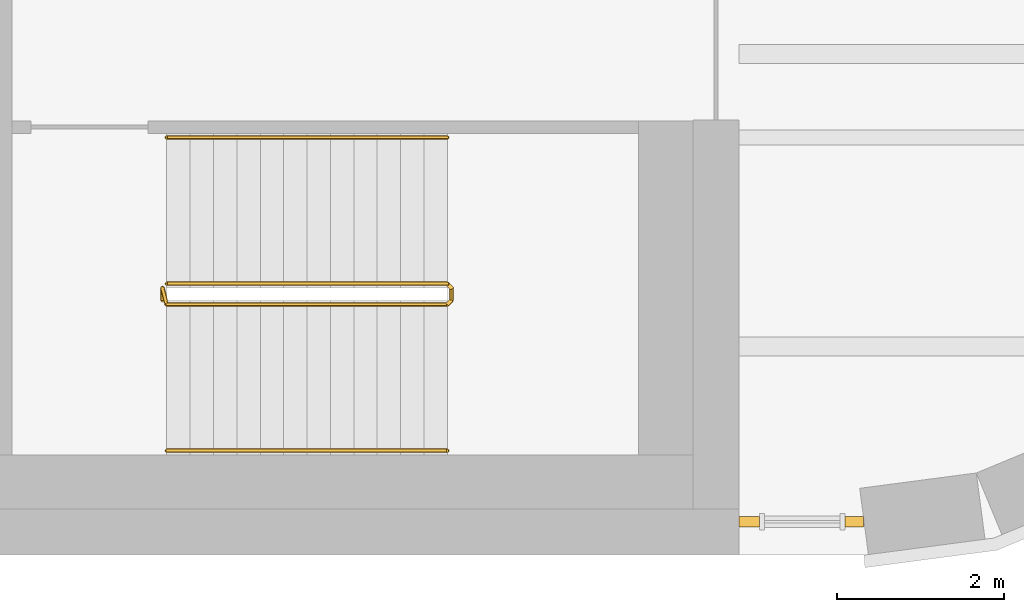
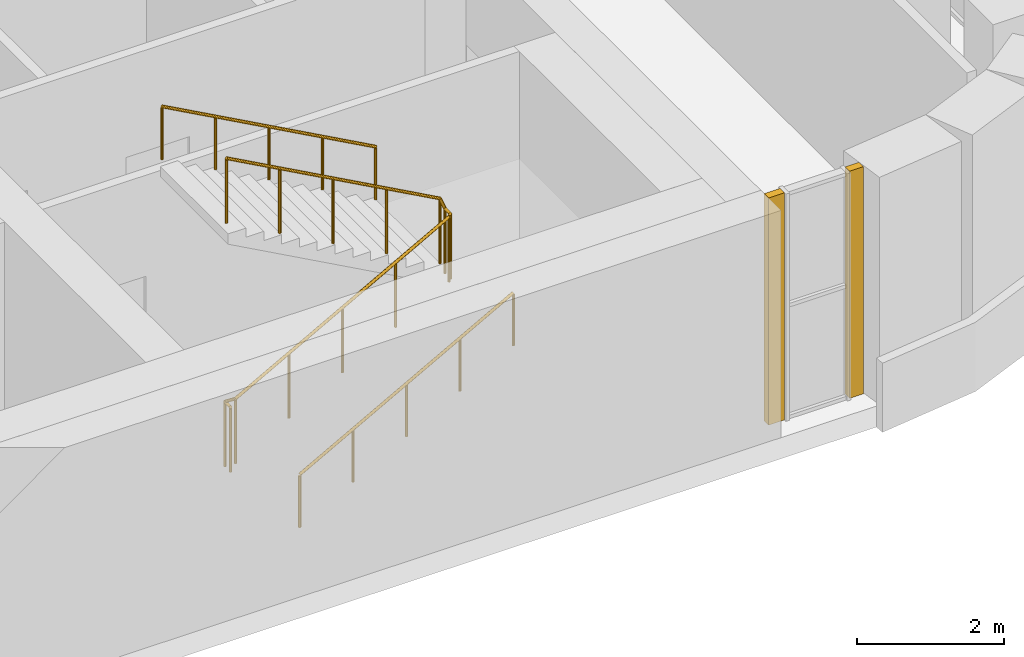
# One storey, part 25 of 28: 3 railings, 2 coverings.
"""IFC4 building model written with IfcOpenShell, lengths in metres."""

import ifcopenshell
import ifcopenshell.guid

model = None  # the IFC model being written
_history = None  # IfcOwnerHistory: only IFC2X3 demands one
_inside = {}  # id of a spatial element -> (the spatial element, [elements in it])
_under = {}  # id of a project, library or spatial element -> (it, [spatial elements below it])
_declared = {}  # id of a project -> (the project, [libraries it declares])
_typed = {}  # id of a type object -> (the type object, [elements of that type])
_made_of = {}  # id of a material, layer set ... -> (it, [elements and type objects made of it])


def new_model(schema):
    """Start an empty IFC model of exactly this schema.

    Asked for "IFC4X3", IfcOpenShell would pick the latest addendum, in which some entities
    have other attributes; the version numbers below select the first issue.
    IFC2X3 requires an IfcOwnerHistory on every rooted entity: one is made here for all.
    """
    global model, _history
    if schema == "IFC4X3":
        model = ifcopenshell.file(schema_version=(4, 3, 0, 0))
    else:
        model = ifcopenshell.file(schema=schema)
    _inside.clear()
    _under.clear()
    _declared.clear()
    _typed.clear()
    _made_of.clear()
    _history = None
    if model.schema == "IFC2X3":
        org = make("IfcOrganization", Name="unknown")
        user = make(
            "IfcPersonAndOrganization",
            ThePerson=make("IfcPerson", FamilyName="unknown"),
            TheOrganization=org,
        )
        app = make(
            "IfcApplication",
            ApplicationDeveloper=org,
            Version="unknown",
            ApplicationFullName="unknown",
            ApplicationIdentifier="unknown",
        )
        _history = make(
            "IfcOwnerHistory",
            OwningUser=user,
            OwningApplication=app,
            ChangeAction="ADDED",
            CreationDate=0,
        )
    return model


def make(cls, **values):
    """One entity of the class cls with the attributes given. An attribute that is None is left unset."""
    return model.create_entity(
        cls, **{name: value for name, value in values.items() if value is not None}
    )


def rooted(cls, **values):
    """An entity with a GlobalId (a new one), such as an element, a storey or a relation."""
    return make(cls, GlobalId=ifcopenshell.guid.new(), OwnerHistory=_history, **values)


def si_unit(unit_type, name, prefix=None):
    """IfcSIUnit, for example si_unit("LENGTHUNIT", "METRE", prefix="MILLI")."""
    return make("IfcSIUnit", UnitType=unit_type, Prefix=prefix, Name=name)


def assignment(units):
    """IfcUnitAssignment: the units of a project."""
    return None if units is None else make("IfcUnitAssignment", Units=units)


def point(xyz):
    """IfcCartesianPoint."""
    return None if xyz is None else make("IfcCartesianPoint", Coordinates=xyz)


def direction(xyz):
    """IfcDirection."""
    return None if xyz is None else make("IfcDirection", DirectionRatios=xyz)


def frame(location, z_axis=None, x_axis=None):
    """IfcAxis2Placement3D, a coordinate frame: its origin and axes. An axis left out is left unset."""
    return make(
        "IfcAxis2Placement3D",
        Location=point(location),
        Axis=direction(z_axis),
        RefDirection=direction(x_axis),
    )


def frame_2d(location, x_axis=None):
    """IfcAxis2Placement2D, a coordinate frame in the plane: its origin and x axis."""
    return make(
        "IfcAxis2Placement2D", Location=point(location), RefDirection=direction(x_axis)
    )


def origin():
    """The frame at (0, 0, 0) with its axes left unset."""
    return frame((0.0, 0.0, 0.0))


def origin_2d():
    """The frame at (0, 0) in the plane with its x axis left unset."""
    return frame_2d((0.0, 0.0))


def place(relative_to, where):
    """IfcLocalPlacement: puts the frame where relative to a parent placement (None: the world)."""
    return make(
        "IfcLocalPlacement", PlacementRelTo=relative_to, RelativePlacement=where
    )


def context(
    kind, dimensions, precision=None, world=None, true_north=None, identifier=None
):
    """IfcGeometricRepresentationContext, for example the 3D "Model" context."""
    return make(
        "IfcGeometricRepresentationContext",
        ContextIdentifier=identifier,
        ContextType=kind,
        CoordinateSpaceDimension=dimensions,
        Precision=precision,
        WorldCoordinateSystem=world,
        TrueNorth=true_north,
    )


def subcontext(parent, identifier, kind, view, scale=None):
    """IfcGeometricRepresentationSubContext, for example "Body" below "Model"."""
    return make(
        "IfcGeometricRepresentationSubContext",
        ContextIdentifier=identifier,
        ContextType=kind,
        ParentContext=parent,
        TargetScale=scale,
        TargetView=view,
    )


def project(units=None, contexts=None):
    """IfcProject with its units and contexts."""
    return rooted(
        "IfcProject",
        Name="project",
        RepresentationContexts=contexts,
        UnitsInContext=assignment(units),
    )


def spatial(cls, under=None, at=None, **own):
    """A site, building, storey or space (cls), placed at a placement, below another one or the project."""
    s = rooted(cls, ObjectPlacement=at, **own)
    if under is not None:
        _under.setdefault(under.id(), (under, []))[1].append(s)
    return s


def profile(cls, at=None, kind="AREA", **sizes):
    """A parametric profile (cls). Its sizes go by their IFC names, for example OverallWidth=200.0."""
    return make(cls, ProfileType=kind, Position=at, **sizes)


def rectangle(**sizes):
    """IfcRectangleProfileDef."""
    return profile("IfcRectangleProfileDef", **sizes)


def circle(**sizes):
    """IfcCircleProfileDef."""
    return profile("IfcCircleProfileDef", **sizes)


def extrude(swept, where, along, depth):
    """IfcExtrudedAreaSolid: the profile swept, set in the frame where, extruded along a direction by depth."""
    return make(
        "IfcExtrudedAreaSolid",
        SweptArea=swept,
        Position=where,
        ExtrudedDirection=direction(along),
        Depth=depth,
    )


def shape(context_of_items, identifier, shape_type, items):
    """IfcShapeRepresentation: the items that make up one representation, for example the "Body"."""
    return make(
        "IfcShapeRepresentation",
        ContextOfItems=context_of_items,
        RepresentationIdentifier=identifier,
        RepresentationType=shape_type,
        Items=items,
    )


def material(Name=None, Category=None):
    """IfcMaterial."""
    return make("IfcMaterial", Name=Name, Category=Category)


def layer(
    of_material, thickness, ventilated=None, Name=None, Category=None, Priority=None
):
    """IfcMaterialLayer: one layer of a wall or slab, of a material (None: an air gap)."""
    return make(
        "IfcMaterialLayer",
        Material=of_material,
        LayerThickness=thickness,
        IsVentilated=ventilated,
        Name=Name,
        Category=Category,
        Priority=Priority,
    )


def layer_set(layers, Name=None):
    """IfcMaterialLayerSet."""
    return make("IfcMaterialLayerSet", MaterialLayers=layers, LayerSetName=Name)


def made_of(thing, what):
    """Note that an element or type object is made of a material, layer set ...; save() writes the relation."""
    if what is not None:
        _made_of.setdefault(what.id(), (what, []))[1].append(thing)
    return thing


def type_object(cls, material=None, **own):
    """A type object (cls), such as IfcWallType, which elements share."""
    return made_of(rooted(cls, **own), material)


def element(
    cls,
    number,
    at=None,
    inside=None,
    cuts=None,
    type_object=None,
    material=None,
    context=None,
    identifier="Body",
    shape_type=None,
    held_by="IfcProductDefinitionShape",
    body=None,
    shapes=None,
    **own,
):
    """One element of the class cls, such as IfcWall. Its Tag is "e" and its number.

    at: its placement. inside: the storey or other place that contains it. cuts: it is an
    opening in that element (IfcRelVoidsElement). A single representation is given by context,
    identifier, shape_type and body (its items); several are given by shapes. held_by: the class
    of the entity that holds the representations. save() writes the other relations.
    """
    e = rooted(cls, Tag="e%d" % number, ObjectPlacement=at, **own)
    if body is not None:
        shapes = [shape(context, identifier, shape_type, body)]
    if shapes is not None:
        e.Representation = make(held_by, Representations=shapes)
    if inside is not None:
        _inside.setdefault(inside.id(), (inside, []))[1].append(e)
    if cuts is not None:
        rooted(
            "IfcRelVoidsElement", RelatingBuildingElement=cuts, RelatedOpeningElement=e
        )
    if type_object is not None:
        _typed.setdefault(type_object.id(), (type_object, []))[1].append(e)
    return made_of(e, material)


def aggregate(whole, parts):
    """IfcRelAggregates: a whole, such as a stair, and the parts it consists of."""
    return rooted("IfcRelAggregates", RelatingObject=whole, RelatedObjects=parts)


def save(model, path):
    """Write the relations noted so far, then the file.

    IfcRelAggregates (storeys below a building ...), IfcRelContainedInSpatialStructure (elements
    in a storey), IfcRelDefinesByType, IfcRelAssociatesMaterial and IfcRelDeclares: one each for
    every whole, place, type object, material and project.
    """
    for whole, parts in _under.values():
        aggregate(whole, parts)
    for where, things in _inside.values():
        rooted(
            "IfcRelContainedInSpatialStructure",
            RelatedElements=things,
            RelatingStructure=where,
        )
    for kind, things in _typed.values():
        rooted("IfcRelDefinesByType", RelatedObjects=things, RelatingType=kind)
    for what, things in _made_of.values():
        rooted("IfcRelAssociatesMaterial", RelatedObjects=things, RelatingMaterial=what)
    for by, libraries in _declared.values():
        rooted("IfcRelDeclares", RelatingContext=by, RelatedDefinitions=libraries)
    model.write(path)


model = new_model("IFC4")

# Units and contexts
model_context = context("Model", 3, precision=1e-05, world=origin(), true_north=direction((0.0, 1.0)))
body_context = subcontext(model_context, "Body", "Model", "MODEL_VIEW")
ifc_project = project(units=[si_unit("LENGTHUNIT", "METRE"), si_unit("AREAUNIT", "SQUARE_METRE"), si_unit("VOLUMEUNIT", "CUBIC_METRE"), si_unit("PLANEANGLEUNIT", "RADIAN"), si_unit("MASSUNIT", "GRAM", prefix="KILO")], contexts=[model_context])

# Site, building, storey
site_placement = place(None, origin())
site = spatial("IfcSite", under=ifc_project, at=site_placement, CompositionType="ELEMENT")
building_placement = place(site_placement, origin())
building = spatial("IfcBuilding", under=site, at=building_placement, Name="Zellij Exchange Tower", CompositionType="ELEMENT")
storey_placement = place(building_placement, frame((0.0, 0.0, 268.5)))
storey = spatial("IfcBuildingStorey", under=building, at=storey_placement, Name="L63", CompositionType="ELEMENT", Elevation=268.5)

# Railings
ifc_material_1 = material(Name="Stainless steel", Category="steel")
railing_type_1 = type_object("IfcRailingType", Name="CORE-RG stair guard", PredefinedType="GUARDRAIL", material=ifc_material_1)
railing_1_placement = place(storey_placement, frame((20.10009765625, -10.949951171875, 0.0)))
element("IfcRailing", 1, at=railing_1_placement, inside=storey, type_object=railing_type_1, Name="ST4 stair guard L63", PredefinedType="GUARDRAIL", context=body_context, shape_type="SweptSolid", body=[
    extrude(circle(Radius=0.02392578125, at=origin_2d()), frame((0.0, 0.0, 1.076171875), z_axis=(0.0, 1.0, 0.0), x_axis=(-1.0, 0.0, 0.0)), (0.0, 0.0, 1.0), 0.14990234375),
    extrude(circle(Radius=0.02392578125, at=origin_2d()), frame((0.0, 0.14990234375, 1.076171875), z_axis=(0.193691321961, -0.777613689637, 0.598164376644), x_axis=(0.970351222016, 0.241699205484, 0.0)), (0.0, 0.0, 1.0), 0.257080078125),
    extrude(circle(Radius=0.02392578125, at=origin_2d()), frame((0.0498046875, -0.050048828125, 1.22998046875), z_axis=(0.876421534553, 0.0, 0.481544695509), x_axis=(0.0, 1.0, 0.0)), (0.0, 0.0, 1.0), 3.833984375),
    extrude(circle(Radius=0.02392578125, at=origin_2d()), frame((3.409912109375, -0.050048828125, 3.076171875), z_axis=(0.707106781187, 0.707106781187, 0.0), x_axis=(-0.707106781187, 0.707106781187, 0.0)), (0.0, 0.0, 1.0), 0.07080078125),
    extrude(circle(Radius=0.02392578125, at=origin_2d()), frame((3.4599609375, 0.0, 3.076171875), z_axis=(0.0, 1.0, 0.0), x_axis=(-1.0, 0.0, 0.0)), (0.0, 0.0, 1.0), 0.14990234375),
    extrude(circle(Radius=0.02392578125, at=origin_2d()), frame((3.4599609375, 0.14990234375, 3.076171875), z_axis=(-0.295599637079, 0.295599637079, 0.908428152975), x_axis=(-0.707106781187, -0.707106781187, 0.0)), (0.0, 0.0, 1.0), 0.16943359375),
    extrude(circle(Radius=0.02392578125, at=origin_2d()), frame((3.409912109375, 0.199951171875, 3.22998046875), z_axis=(-0.876421534553, 0.0, 0.481544695509), x_axis=(0.0, -1.0, 0.0)), (0.0, 0.0, 1.0), 3.833984375),
    extrude(circle(Radius=0.02099609375, at=origin_2d()), origin(), (0.0, 0.0, 1.0), 1.052001953125),
    extrude(circle(Radius=0.02099609375, at=origin_2d()), frame((0.0, 0.14990234375, 0.0)), (0.0, 0.0, 1.0), 1.052001953125),
    extrude(circle(Radius=0.02099609375, at=origin_2d()), frame((0.0498046875, -0.050048828125, 0.15380859375)), (0.0, 0.0, 1.0), 1.052001953125),
    extrude(circle(Radius=0.02099609375, at=origin_2d()), frame((0.889892578125, -0.050048828125, 0.615234375)), (0.0, 0.0, 1.0), 1.052001953125),
    extrude(circle(Radius=0.02099609375, at=origin_2d()), frame((1.72998046875, -0.050048828125, 1.076904296875)), (0.0, 0.0, 1.0), 1.052001953125),
    extrude(circle(Radius=0.02099609375, at=origin_2d()), frame((2.56982421875, -0.050048828125, 1.53857421875)), (0.0, 0.0, 1.0), 1.052001953125),
    extrude(circle(Radius=0.02099609375, at=origin_2d()), frame((3.409912109375, -0.050048828125, 2.0)), (0.0, 0.0, 1.0), 1.052001953125),
    extrude(circle(Radius=0.02099609375, at=origin_2d()), frame((3.4599609375, 0.0, 2.0)), (0.0, 0.0, 1.0), 1.052001953125),
    extrude(circle(Radius=0.02099609375, at=origin_2d()), frame((3.4599609375, 0.14990234375, 2.0)), (0.0, 0.0, 1.0), 1.052001953125),
    extrude(circle(Radius=0.02099609375, at=origin_2d()), frame((3.409912109375, 0.199951171875, 2.15380859375)), (0.0, 0.0, 1.0), 1.052001953125),
    extrude(circle(Radius=0.02099609375, at=origin_2d()), frame((2.56982421875, 0.199951171875, 2.615234375)), (0.0, 0.0, 1.0), 1.052001953125),
    extrude(circle(Radius=0.02099609375, at=origin_2d()), frame((1.72998046875, 0.199951171875, 3.076904296875)), (0.0, 0.0, 1.0), 1.052001953125),
    extrude(circle(Radius=0.02099609375, at=origin_2d()), frame((0.889892578125, 0.199951171875, 3.53857421875)), (0.0, 0.0, 1.0), 1.052001953125),
    extrude(circle(Radius=0.02099609375, at=origin_2d()), frame((0.0498046875, 0.199951171875, 4.0)), (0.0, 0.0, 1.0), 1.052001953125),
])
railing_type_2 = type_object("IfcRailingType", Name="CORE-RH stair handrail", PredefinedType="HANDRAIL", material=ifc_material_1)
railing_2_placement = place(storey_placement, frame((20.14990234375, -12.75, 0.15380859375)))
element("IfcRailing", 2, at=railing_2_placement, inside=storey, type_object=railing_type_2, Name="ST4 stair handrail L63", PredefinedType="HANDRAIL", context=body_context, shape_type="SweptSolid", body=[
    extrude(circle(Radius=0.02392578125, at=origin_2d()), frame((0.0, 0.0, 0.8759765625), z_axis=(0.876421534553, 0.0, 0.481544695509), x_axis=(0.0, 1.0, 0.0)), (0.0, 0.0, 1.0), 3.833984375),
    extrude(circle(Radius=0.02099609375, at=origin_2d()), origin(), (0.0, 0.0, 1.0), 0.851806640625),
    extrude(circle(Radius=0.02099609375, at=origin_2d()), frame((0.840087890625, 0.0, 0.46142578125)), (0.0, 0.0, 1.0), 0.851806640625),
    extrude(circle(Radius=0.02099609375, at=origin_2d()), frame((1.68017578125, 0.0, 0.923095703125)), (0.0, 0.0, 1.0), 0.851806640625),
    extrude(circle(Radius=0.02099609375, at=origin_2d()), frame((2.52001953125, 0.0, 1.384765625)), (0.0, 0.0, 1.0), 0.851806640625),
    extrude(circle(Radius=0.02099609375, at=origin_2d()), frame((3.360107421875, 0.0, 1.84619140625)), (0.0, 0.0, 1.0), 0.851806640625),
])
railing_3_placement = place(storey_placement, frame((23.510009765625, -9.0, 2.15380859375)))
element("IfcRailing", 3, at=railing_3_placement, inside=storey, type_object=railing_type_2, Name="ST4 stair handrail L63", PredefinedType="HANDRAIL", context=body_context, shape_type="SweptSolid", body=[
    extrude(circle(Radius=0.02392578125, at=origin_2d()), frame((0.0, 0.0, 0.8759765625), z_axis=(-0.876421534553, 0.0, 0.481544695509), x_axis=(0.0, -1.0, 0.0)), (0.0, 0.0, 1.0), 3.833984375),
    extrude(circle(Radius=0.02099609375, at=origin_2d()), origin(), (0.0, 0.0, 1.0), 0.851806640625),
    extrude(circle(Radius=0.02099609375, at=origin_2d()), frame((-0.840087890625, 0.0, 0.46142578125)), (0.0, 0.0, 1.0), 0.851806640625),
    extrude(circle(Radius=0.02099609375, at=origin_2d()), frame((-1.68017578125, 0.0, 0.923095703125)), (0.0, 0.0, 1.0), 0.851806640625),
    extrude(circle(Radius=0.02099609375, at=origin_2d()), frame((-2.52001953125, 0.0, 1.384765625)), (0.0, 0.0, 1.0), 0.851806640625),
    extrude(circle(Radius=0.02099609375, at=origin_2d()), frame((-3.360107421875, 0.0, 1.84619140625)), (0.0, 0.0, 1.0), 0.851806640625),
])

# Coverings
ifc_material_2 = material(Name="Limestone cladding", Category="masonry")
ifc_layer = layer(ifc_material_2, 0.1201171875)
ifc_layer_set = layer_set([ifc_layer], Name="Limestone cladding")
covering_type = type_object("IfcCoveringType", Name="ENV-CV18 Glazing closer 120", PredefinedType="CLADDING", material=ifc_layer_set)
covering_1_placement = place(storey_placement, frame((27.125, -13.60009765625, 0.0), z_axis=(0.0, 0.0, 1.0), x_axis=(-1.0, 0.0, 0.0)))
element("IfcCovering", 4, at=covering_1_placement, inside=storey, type_object=covering_type, Name="Glazing closer", PredefinedType="CLADDING", context=body_context, shape_type="SweptSolid", body=[
    extrude(rectangle(XDim=0.25, YDim=0.1201171875, at=origin_2d()), origin(), (0.0, 0.0, 1.0), 3.780029296875),
])
covering_2_placement = place(storey_placement, frame((28.383056640625, -13.60009765625, 0.0), z_axis=(0.0, 0.0, 1.0), x_axis=(1.0, 0.0, 0.0)))
element("IfcCovering", 5, at=covering_2_placement, inside=storey, type_object=covering_type, Name="Glazing closer", PredefinedType="CLADDING", context=body_context, shape_type="SweptSolid", body=[
    extrude(rectangle(XDim=0.218505859375, YDim=0.1201171875, at=origin_2d()), origin(), (0.0, 0.0, 1.0), 3.780029296875),
])

save(model, "model.ifc")
